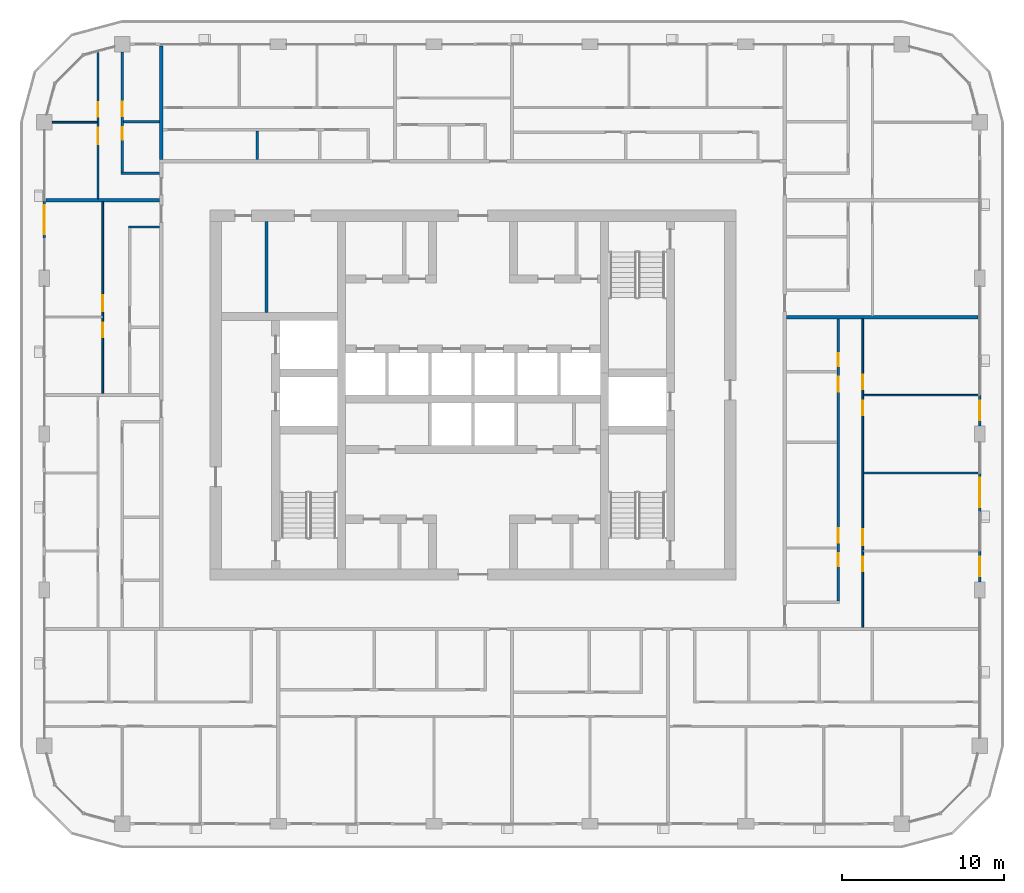
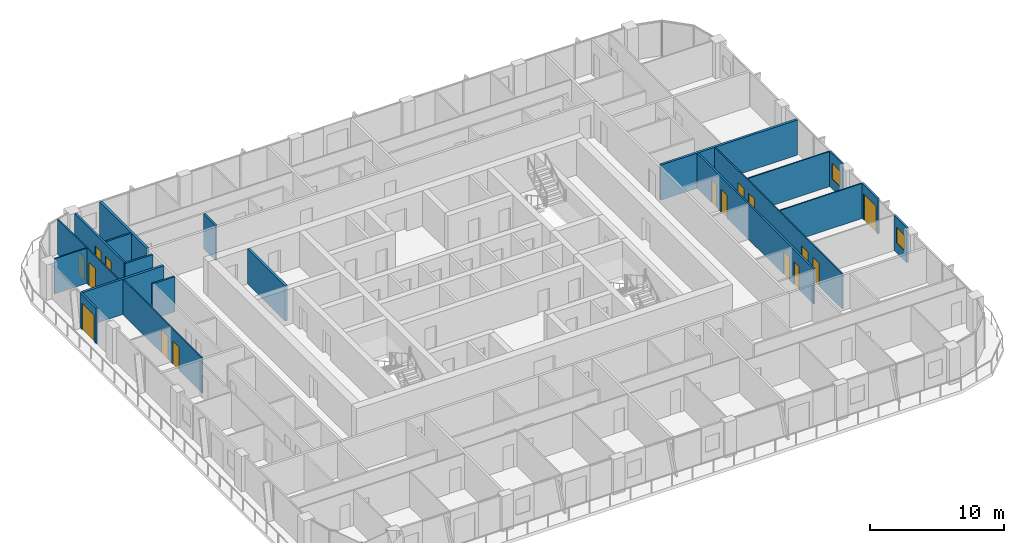
# One storey, part 13 of 22: 20 walls, 16 doors, 2 windows, 18 openings.
"""IFC4 building model written with IfcOpenShell, lengths in metres."""

from ifc_helpers import new_model, si_unit, direction, frame, frame_2d, origin, place, context, subcontext, project, spatial, rectangle, extrude, material, layer, layer_set, type_object, element, fill, save


model = new_model("IFC4")

# Units and contexts
model_context = context("Model", 3, precision=1e-05, world=origin(), true_north=direction((0.0, 1.0)))
body_context = subcontext(model_context, "Body", "Model", "MODEL_VIEW")
ifc_project = project(units=[si_unit("LENGTHUNIT", "METRE"), si_unit("AREAUNIT", "SQUARE_METRE"), si_unit("VOLUMEUNIT", "CUBIC_METRE"), si_unit("PLANEANGLEUNIT", "RADIAN"), si_unit("MASSUNIT", "GRAM", prefix="KILO")], contexts=[model_context])

# Site, building, storey
site_placement = place(None, origin())
site = spatial("IfcSite", under=ifc_project, at=site_placement, CompositionType="ELEMENT")
building_placement = place(site_placement, origin())
building = spatial("IfcBuilding", under=site, at=building_placement, Name="Madar Terraces", CompositionType="ELEMENT")
storey_placement = place(building_placement, frame((0.0, 0.0, 182.39990234375)))
storey = spatial("IfcBuildingStorey", under=building, at=storey_placement, Name="L47", CompositionType="ELEMENT", Elevation=182.39990234375)

# Wall
ifc_material_1 = material(Name="Masonry blockwork", Category="masonry")
ifc_layer_1 = layer(ifc_material_1, 0.199951171875)
ifc_layer_set_1 = layer_set([ifc_layer_1], Name="Core partition 200 blockwork")
wall_type_1 = type_object("IfcWallType", Name="Core partition 200 blockwork", PredefinedType="PARTITIONING", material=ifc_layer_set_1)
wall_1_placement = place(storey_placement, frame((18.488525390625, 31.5, 0.0), z_axis=(0.0, 0.0, 1.0), x_axis=(0.0, 1.0, 0.0)))
element("IfcWall", 1, at=wall_1_placement, inside=storey, type_object=wall_type_1, Name="SERVICE ROOM PARTITION", PredefinedType="PARTITIONING", context=body_context, shape_type="SweptSolid", body=[
    extrude(rectangle(XDim=5.60009765625, YDim=0.199951171875, at=frame_2d((2.800048828125, 0.0))), origin(), (0.0, 0.0, 1.0), 3.2001953125),
])

# Wall, opening, window
ifc_material_2 = material(Name="Aluminium composite panel, black, over insulated backing", Category="aluminium")
ifc_layer_2 = layer(ifc_material_2, 0.14990234375)
ifc_layer_set_2 = layer_set([ifc_layer_2], Name="Facade bay panel 150")
wall_type_2 = type_object("IfcWallType", Name="Facade bay panel 150", PredefinedType="SOLIDWALL", material=ifc_layer_set_2)
wall_2_placement = place(storey_placement, frame((62.39990234375, 14.89990234375, 0.0), z_axis=(0.0, 0.0, 1.0), x_axis=(0.0, 1.0, 0.0)))
wall_2 = element("IfcWall", 2, at=wall_2_placement, inside=storey, type_object=wall_type_2, Name="Facade bay panel", PredefinedType="SOLIDWALL", context=body_context, shape_type="SweptSolid", body=[
    extrude(rectangle(XDim=1.900146484375, YDim=0.14990234375, at=frame_2d((0.9501953125, 0.0))), origin(), (0.0, 0.0, 1.0), 3.2001953125),
])
opening_1_placement = place(wall_2_placement, frame((0.35009765625, 0.0, 0.89990234375)))
opening_1 = element("IfcOpeningElement", 3, at=opening_1_placement, cuts=wall_2, Name="Opening W1", PredefinedType="OPENING", context=body_context, shape_type="SweptSolid", body=[
    extrude(rectangle(XDim=1.199951171875, YDim=1.39990234375, at=frame_2d((0.60009765625, 0.699951171875))), frame((0.0, 0.0849609375, 0.0), z_axis=(0.0, -1.0, 0.0), x_axis=(1.0, 0.0, 0.0)), (0.0, 0.0, 1.0), 0.169921875),
])
ifc_material_3 = material(Name="Glass, clear, with black aluminium frame", Category="aluminium")
window_type = type_object("IfcWindowType", Name="Vent window 1200 x 1400", PartitioningType="SINGLE_PANEL", PredefinedType="WINDOW", material=ifc_material_3)
window_1_placement = place(opening_1_placement, origin())
window_1 = element("IfcWindow", 4, at=window_1_placement, inside=storey, type_object=window_type, Name="Operable vent window", OverallHeight=1.39990234375, OverallWidth=1.199951171875, PartitioningType="SINGLE_PANEL", PredefinedType="WINDOW", context=body_context, shape_type="SweptSolid", body=[
    extrude(rectangle(XDim=1.199951171875, YDim=1.39990234375, at=frame_2d((0.60009765625, 0.699951171875))), frame((0.0, 0.030029296875, 0.0), z_axis=(0.0, -1.0, 0.0), x_axis=(1.0, 0.0, 0.0)), (0.0, 0.0, 1.0), 0.06005859375),
])
fill(opening_1, window_1)

# Wall, opening, door
wall_3_placement = place(storey_placement, frame((62.39990234375, 19.199951171875, 0.0), z_axis=(0.0, 0.0, 1.0), x_axis=(0.0, 1.0, 0.0)))
wall_3 = element("IfcWall", 5, at=wall_3_placement, inside=storey, type_object=wall_type_2, Name="Facade bay panel", PredefinedType="SOLIDWALL", context=body_context, shape_type="SweptSolid", body=[
    extrude(rectangle(XDim=2.400146484375, YDim=0.14990234375, at=frame_2d((1.2001953125, 0.0))), origin(), (0.0, 0.0, 1.0), 3.2001953125),
])
opening_2_placement = place(wall_3_placement, frame((0.300048828125, 0.0, 0.0)))
opening_2 = element("IfcOpeningElement", 6, at=opening_2_placement, cuts=wall_3, Name="Opening ED1", PredefinedType="OPENING", context=body_context, shape_type="SweptSolid", body=[
    extrude(rectangle(XDim=1.800048828125, YDim=2.39990234375, at=frame_2d((0.89990234375, 1.199951171875))), frame((0.0, 0.0849609375, 0.0), z_axis=(0.0, -1.0, 0.0), x_axis=(1.0, 0.0, 0.0)), (0.0, 0.0, 1.0), 0.169921875),
])
ifc_material_4 = material(Name="Glass, clear, with black aluminium frame", Category="aluminium")
door_type_1 = type_object("IfcDoorType", Name="Balcony and terrace sliding door 1800 x 2400", OperationType="SLIDING_TO_LEFT", PredefinedType="DOOR", material=ifc_material_4)
door_1_placement = place(opening_2_placement, origin())
door_1 = element("IfcDoor", 7, at=door_1_placement, inside=storey, type_object=door_type_1, Name="Balcony door", OperationType="SLIDING_TO_RIGHT", OverallHeight=2.39990234375, OverallWidth=1.800048828125, PredefinedType="DOOR", context=body_context, shape_type="SweptSolid", body=[
    extrude(rectangle(XDim=1.800048828125, YDim=2.39990234375, at=frame_2d((0.89990234375, 1.199951171875))), frame((0.0, 0.02490234375, 0.0), z_axis=(0.0, -1.0, 0.0), x_axis=(1.0, 0.0, 0.0)), (0.0, 0.0, 1.0), 0.050048828125),
])
fill(opening_2, door_1)

# Wall, opening, window
wall_4_placement = place(storey_placement, frame((62.39990234375, 24.5, 0.0), z_axis=(0.0, 0.0, 1.0), x_axis=(0.0, 1.0, 0.0)))
wall_4 = element("IfcWall", 8, at=wall_4_placement, inside=storey, type_object=wall_type_2, Name="Facade bay panel", PredefinedType="SOLIDWALL", context=body_context, shape_type="SweptSolid", body=[
    extrude(rectangle(XDim=1.89990234375, YDim=0.14990234375, at=frame_2d((0.949951171875, 0.0))), origin(), (0.0, 0.0, 1.0), 3.2001953125),
])
opening_3_placement = place(wall_4_placement, frame((0.35009765625, 0.0, 0.89990234375)))
opening_3 = element("IfcOpeningElement", 9, at=opening_3_placement, cuts=wall_4, Name="Opening W1", PredefinedType="OPENING", context=body_context, shape_type="SweptSolid", body=[
    extrude(rectangle(XDim=1.199951171875, YDim=1.39990234375, at=frame_2d((0.60009765625, 0.699951171875))), frame((0.0, 0.0849609375, 0.0), z_axis=(0.0, -1.0, 0.0), x_axis=(1.0, 0.0, 0.0)), (0.0, 0.0, 1.0), 0.169921875),
])
window_2_placement = place(opening_3_placement, origin())
window_2 = element("IfcWindow", 10, at=window_2_placement, inside=storey, type_object=window_type, Name="Operable vent window", OverallHeight=1.39990234375, OverallWidth=1.199951171875, PartitioningType="SINGLE_PANEL", PredefinedType="WINDOW", context=body_context, shape_type="SweptSolid", body=[
    extrude(rectangle(XDim=1.199951171875, YDim=1.39990234375, at=frame_2d((0.60009765625, 0.699951171875))), frame((0.0, 0.030029296875, 0.0), z_axis=(0.0, -1.0, 0.0), x_axis=(1.0, 0.0, 0.0)), (0.0, 0.0, 1.0), 0.06005859375),
])
fill(opening_3, window_2)

# Wall, opening, door
wall_5_placement = place(storey_placement, frame((4.800048828125, 38.39990234375, 0.0), z_axis=(0.0, 0.0, 1.0), x_axis=(0.0, -1.0, 0.0)))
wall_5 = element("IfcWall", 11, at=wall_5_placement, inside=storey, type_object=wall_type_2, Name="Facade bay panel", PredefinedType="SOLIDWALL", context=body_context, shape_type="SweptSolid", body=[
    extrude(rectangle(XDim=2.39990234375, YDim=0.14990234375, at=frame_2d((1.199951171875, 0.0))), origin(), (0.0, 0.0, 1.0), 3.2001953125),
])
opening_4_placement = place(wall_5_placement, frame((0.300048828125, 0.0, 0.0)))
opening_4 = element("IfcOpeningElement", 12, at=opening_4_placement, cuts=wall_5, Name="Opening ED1", PredefinedType="OPENING", context=body_context, shape_type="SweptSolid", body=[
    extrude(rectangle(XDim=1.800048828125, YDim=2.39990234375, at=frame_2d((0.89990234375, 1.199951171875))), frame((0.0, 0.0849609375, 0.0), z_axis=(0.0, -1.0, 0.0), x_axis=(1.0, 0.0, 0.0)), (0.0, 0.0, 1.0), 0.169921875),
])
door_2_placement = place(opening_4_placement, origin())
door_2 = element("IfcDoor", 13, at=door_2_placement, inside=storey, type_object=door_type_1, Name="Balcony door", OperationType="SLIDING_TO_RIGHT", OverallHeight=2.39990234375, OverallWidth=1.800048828125, PredefinedType="DOOR", context=body_context, shape_type="SweptSolid", body=[
    extrude(rectangle(XDim=1.800048828125, YDim=2.39990234375, at=frame_2d((0.89990234375, 1.199951171875))), frame((0.0, 0.02490234375, 0.0), z_axis=(0.0, -1.0, 0.0), x_axis=(1.0, 0.0, 0.0)), (0.0, 0.0, 1.0), 0.050048828125),
])
fill(opening_4, door_2)

# Walls
ifc_material_5 = material(Name="Gypsum board on steel studs", Category="steel")
ifc_layer_3 = layer(ifc_material_5, 0.10009765625)
ifc_layer_set_3 = layer_set([ifc_layer_3], Name="Flat partition 100")
wall_type_3 = type_object("IfcWallType", Name="Flat partition 100", PredefinedType="PARTITIONING", material=ifc_layer_set_3)
for number, where, z_axis, x_axis, name in (
    (14, (55.25, 21.60009765625, 0.0), (0.0, 0.0, 1.0), (1.0, 0.0, 0.0), "Flat partition 100"),
    (15, (55.25, 26.39990234375, 0.0), (0.0, 0.0, 1.0), (1.0, 0.0, 0.0), "Flat partition 100"),
):
    element("IfcWall", number, at=place(storey_placement, frame(where, z_axis=z_axis, x_axis=x_axis)), inside=storey, type_object=wall_type_3, Name=name, PredefinedType="PARTITIONING", context=body_context, shape_type="SweptSolid", body=[
        extrude(rectangle(XDim=7.050048828125, YDim=0.10009765625, at=frame_2d((3.52490234375, 0.0))), origin(), (0.0, 0.0, 1.0), 3.2001953125),
    ])

# Wall, openings, doors
wall_6_placement = place(storey_placement, frame((55.199951171875, 31.10009765625, 0.0), z_axis=(0.0, 0.0, 1.0), x_axis=(0.0, -1.0, 0.0)))
wall_6 = element("IfcWall", 16, at=wall_6_placement, inside=storey, type_object=wall_type_3, Name="Flat partition 100", PredefinedType="PARTITIONING", context=body_context, shape_type="SweptSolid", body=[
    extrude(rectangle(XDim=19.0, YDim=0.10009765625, at=frame_2d((9.5, 0.0))), origin(), (0.0, 0.0, 1.0), 3.2001953125),
])
opening_5_placement = place(wall_6_placement, frame((14.64990234375, 0.0, 0.0)))
opening_5 = element("IfcOpeningElement", 17, at=opening_5_placement, cuts=wall_6, Name="Opening D2", PredefinedType="OPENING", context=body_context, shape_type="SweptSolid", body=[
    extrude(rectangle(XDim=0.89990234375, YDim=2.10009765625, at=frame_2d((0.449951171875, 1.050048828125))), frame((0.0, 0.06005859375, 0.0), z_axis=(0.0, -1.0, 0.0), x_axis=(1.0, 0.0, 0.0)), (0.0, 0.0, 1.0), 0.1201171875),
])
opening_6_placement = place(wall_6_placement, frame((12.949951171875, 0.0, 0.0)))
opening_6 = element("IfcOpeningElement", 18, at=opening_6_placement, cuts=wall_6, Name="Opening D3", PredefinedType="OPENING", context=body_context, shape_type="SweptSolid", body=[
    extrude(rectangle(XDim=1.0, YDim=2.10009765625, at=frame_2d((0.5, 1.050048828125))), frame((0.0, 0.06005859375, 0.0), z_axis=(0.0, -1.0, 0.0), x_axis=(1.0, 0.0, 0.0)), (0.0, 0.0, 1.0), 0.1201171875),
])
opening_7_placement = place(wall_6_placement, frame((5.050048828125, 0.0, 0.0)))
opening_7 = element("IfcOpeningElement", 19, at=opening_7_placement, cuts=wall_6, Name="Opening D2", PredefinedType="OPENING", context=body_context, shape_type="SweptSolid", body=[
    extrude(rectangle(XDim=0.89990234375, YDim=2.10009765625, at=frame_2d((0.449951171875, 1.050048828125))), frame((0.0, 0.06005859375, 0.0), z_axis=(0.0, -1.0, 0.0), x_axis=(1.0, 0.0, 0.0)), (0.0, 0.0, 1.0), 0.1201171875),
])
opening_8_placement = place(wall_6_placement, frame((3.449951171875, 0.0, 0.0)))
opening_8 = element("IfcOpeningElement", 20, at=opening_8_placement, cuts=wall_6, Name="Opening D2", PredefinedType="OPENING", context=body_context, shape_type="SweptSolid", body=[
    extrude(rectangle(XDim=0.89990234375, YDim=2.10009765625, at=frame_2d((0.449951171875, 1.050048828125))), frame((0.0, 0.06005859375, 0.0), z_axis=(0.0, -1.0, 0.0), x_axis=(1.0, 0.0, 0.0)), (0.0, 0.0, 1.0), 0.1201171875),
])
ifc_material_6 = material(Name="Timber door leaf", Category="wood")
door_type_2 = type_object("IfcDoorType", Name="Flat living room door 1000", OperationType="NOTDEFINED", PredefinedType="DOOR", material=ifc_material_6)
door_3_placement = place(opening_6_placement, origin())
door_3 = element("IfcDoor", 21, at=door_3_placement, inside=storey, type_object=door_type_2, Name="Flat living room door 1000", OperationType="SINGLE_SWING_RIGHT", OverallHeight=2.10009765625, OverallWidth=1.0, PredefinedType="DOOR", context=body_context, shape_type="SweptSolid", body=[
    extrude(rectangle(XDim=1.0, YDim=2.10009765625, at=frame_2d((0.5, 1.050048828125))), frame((0.0, 0.02490234375, 0.0), z_axis=(0.0, -1.0, 0.0), x_axis=(1.0, 0.0, 0.0)), (0.0, 0.0, 1.0), 0.050048828125),
])
fill(opening_6, door_3)
ifc_material_7 = material(Name="Timber door leaf", Category="wood")
door_type_3 = type_object("IfcDoorType", Name="Flat room door 900", OperationType="NOTDEFINED", PredefinedType="DOOR", material=ifc_material_7)
door_4_placement = place(opening_5_placement, origin())
door_4 = element("IfcDoor", 22, at=door_4_placement, inside=storey, type_object=door_type_3, Name="Flat room door 900", OperationType="SINGLE_SWING_LEFT", OverallHeight=2.10009765625, OverallWidth=0.89990234375, PredefinedType="DOOR", context=body_context, shape_type="SweptSolid", body=[
    extrude(rectangle(XDim=0.89990234375, YDim=2.10009765625, at=frame_2d((0.449951171875, 1.050048828125))), frame((0.0, 0.02490234375, 0.0), z_axis=(0.0, -1.0, 0.0), x_axis=(1.0, 0.0, 0.0)), (0.0, 0.0, 1.0), 0.050048828125),
])
fill(opening_5, door_4)
door_5_placement = place(opening_7_placement, origin())
door_5 = element("IfcDoor", 23, at=door_5_placement, inside=storey, type_object=door_type_3, Name="Flat room door 900", OperationType="SINGLE_SWING_LEFT", OverallHeight=2.10009765625, OverallWidth=0.89990234375, PredefinedType="DOOR", context=body_context, shape_type="SweptSolid", body=[
    extrude(rectangle(XDim=0.89990234375, YDim=2.10009765625, at=frame_2d((0.449951171875, 1.050048828125))), frame((0.0, 0.02490234375, 0.0), z_axis=(0.0, -1.0, 0.0), x_axis=(1.0, 0.0, 0.0)), (0.0, 0.0, 1.0), 0.050048828125),
])
fill(opening_7, door_5)
door_6_placement = place(opening_8_placement, origin())
door_6 = element("IfcDoor", 24, at=door_6_placement, inside=storey, type_object=door_type_3, Name="Flat room door 900", OperationType="SINGLE_SWING_RIGHT", OverallHeight=2.10009765625, OverallWidth=0.89990234375, PredefinedType="DOOR", context=body_context, shape_type="SweptSolid", body=[
    extrude(rectangle(XDim=0.89990234375, YDim=2.10009765625, at=frame_2d((0.449951171875, 1.050048828125))), frame((0.0, 0.02490234375, 0.0), z_axis=(0.0, -1.0, 0.0), x_axis=(1.0, 0.0, 0.0)), (0.0, 0.0, 1.0), 0.050048828125),
])
fill(opening_8, door_6)

# Wall
wall_7_placement = place(storey_placement, frame((8.050048828125, 43.199951171875, 0.0), z_axis=(0.0, 0.0, 1.0), x_axis=(-1.0, 0.0, 0.0)))
element("IfcWall", 25, at=wall_7_placement, inside=storey, type_object=wall_type_3, Name="Flat partition 100", PredefinedType="PARTITIONING", context=body_context, shape_type="SweptSolid", body=[
    extrude(rectangle(XDim=2.775146484375, YDim=0.10009765625, at=frame_2d((1.3876953125, 0.0))), origin(), (0.0, 0.0, 1.0), 3.2001953125),
])

# Wall, openings, doors
wall_8_placement = place(storey_placement, frame((8.10009765625, 38.5, 0.0), z_axis=(0.0, 0.0, 1.0), x_axis=(0.0, 1.0, 0.0)))
wall_8 = element("IfcWall", 26, at=wall_8_placement, inside=storey, type_object=wall_type_3, Name="Flat partition 100", PredefinedType="PARTITIONING", context=body_context, shape_type="SweptSolid", body=[
    extrude(rectangle(XDim=8.998046875, YDim=0.10009765625, at=frame_2d((4.4990234375, 0.0))), origin(), (0.0, 0.0, 1.0), 3.2001953125),
])
opening_9_placement = place(wall_8_placement, frame((3.35009765625, 0.0, 0.0)))
opening_9 = element("IfcOpeningElement", 27, at=opening_9_placement, cuts=wall_8, Name="Opening D3", PredefinedType="OPENING", context=body_context, shape_type="SweptSolid", body=[
    extrude(rectangle(XDim=1.0, YDim=2.10009765625, at=frame_2d((0.5, 1.050048828125))), frame((0.0, 0.06005859375, 0.0), z_axis=(0.0, -1.0, 0.0), x_axis=(1.0, 0.0, 0.0)), (0.0, 0.0, 1.0), 0.1201171875),
])
opening_10_placement = place(wall_8_placement, frame((5.050048828125, 0.0, 0.0)))
opening_10 = element("IfcOpeningElement", 28, at=opening_10_placement, cuts=wall_8, Name="Opening D2", PredefinedType="OPENING", context=body_context, shape_type="SweptSolid", body=[
    extrude(rectangle(XDim=0.89990234375, YDim=2.10009765625, at=frame_2d((0.449951171875, 1.050048828125))), frame((0.0, 0.06005859375, 0.0), z_axis=(0.0, -1.0, 0.0), x_axis=(1.0, 0.0, 0.0)), (0.0, 0.0, 1.0), 0.1201171875),
])
door_7_placement = place(opening_9_placement, origin())
door_7 = element("IfcDoor", 29, at=door_7_placement, inside=storey, type_object=door_type_2, Name="Flat living room door 1000", OperationType="SINGLE_SWING_RIGHT", OverallHeight=2.10009765625, OverallWidth=1.0, PredefinedType="DOOR", context=body_context, shape_type="SweptSolid", body=[
    extrude(rectangle(XDim=1.0, YDim=2.10009765625, at=frame_2d((0.5, 1.050048828125))), frame((0.0, 0.02490234375, 0.0), z_axis=(0.0, -1.0, 0.0), x_axis=(1.0, 0.0, 0.0)), (0.0, 0.0, 1.0), 0.050048828125),
])
fill(opening_9, door_7)
door_8_placement = place(opening_10_placement, origin())
door_8 = element("IfcDoor", 30, at=door_8_placement, inside=storey, type_object=door_type_3, Name="Flat room door 900", OperationType="SINGLE_SWING_LEFT", OverallHeight=2.10009765625, OverallWidth=0.89990234375, PredefinedType="DOOR", context=body_context, shape_type="SweptSolid", body=[
    extrude(rectangle(XDim=0.89990234375, YDim=2.10009765625, at=frame_2d((0.449951171875, 1.050048828125))), frame((0.0, 0.02490234375, 0.0), z_axis=(0.0, -1.0, 0.0), x_axis=(1.0, 0.0, 0.0)), (0.0, 0.0, 1.0), 0.050048828125),
])
fill(opening_10, door_8)

wall_9_placement = place(storey_placement, frame((8.39990234375, 26.5, 0.0), z_axis=(0.0, 0.0, 1.0), x_axis=(0.0, 1.0, 0.0)))
wall_9 = element("IfcWall", 31, at=wall_9_placement, inside=storey, type_object=wall_type_3, Name="Flat partition 100", PredefinedType="PARTITIONING", context=body_context, shape_type="SweptSolid", body=[
    extrude(rectangle(XDim=11.800048828125, YDim=0.10009765625, at=frame_2d((5.89990234375, 0.0))), origin(), (0.0, 0.0, 1.0), 3.2001953125),
])
opening_11_placement = place(wall_9_placement, frame((5.050048828125, 0.0, 0.0)))
opening_11 = element("IfcOpeningElement", 32, at=opening_11_placement, cuts=wall_9, Name="Opening D3", PredefinedType="OPENING", context=body_context, shape_type="SweptSolid", body=[
    extrude(rectangle(XDim=1.0, YDim=2.10009765625, at=frame_2d((0.5, 1.050048828125))), frame((0.0, 0.06005859375, 0.0), z_axis=(0.0, -1.0, 0.0), x_axis=(1.0, 0.0, 0.0)), (0.0, 0.0, 1.0), 0.1201171875),
])
opening_12_placement = place(wall_9_placement, frame((3.449951171875, 0.0, 0.0)))
opening_12 = element("IfcOpeningElement", 33, at=opening_12_placement, cuts=wall_9, Name="Opening D2", PredefinedType="OPENING", context=body_context, shape_type="SweptSolid", body=[
    extrude(rectangle(XDim=0.89990234375, YDim=2.10009765625, at=frame_2d((0.449951171875, 1.050048828125))), frame((0.0, 0.06005859375, 0.0), z_axis=(0.0, -1.0, 0.0), x_axis=(1.0, 0.0, 0.0)), (0.0, 0.0, 1.0), 0.1201171875),
])
door_9_placement = place(opening_11_placement, origin())
door_9 = element("IfcDoor", 34, at=door_9_placement, inside=storey, type_object=door_type_2, Name="Flat living room door 1000", OperationType="SINGLE_SWING_LEFT", OverallHeight=2.10009765625, OverallWidth=1.0, PredefinedType="DOOR", context=body_context, shape_type="SweptSolid", body=[
    extrude(rectangle(XDim=1.0, YDim=2.10009765625, at=frame_2d((0.5, 1.050048828125))), frame((0.0, 0.02490234375, 0.0), z_axis=(0.0, -1.0, 0.0), x_axis=(1.0, 0.0, 0.0)), (0.0, 0.0, 1.0), 0.050048828125),
])
fill(opening_11, door_9)
door_10_placement = place(opening_12_placement, origin())
door_10 = element("IfcDoor", 35, at=door_10_placement, inside=storey, type_object=door_type_3, Name="Flat room door 900", OperationType="SINGLE_SWING_RIGHT", OverallHeight=2.10009765625, OverallWidth=0.89990234375, PredefinedType="DOOR", context=body_context, shape_type="SweptSolid", body=[
    extrude(rectangle(XDim=0.89990234375, YDim=2.10009765625, at=frame_2d((0.449951171875, 1.050048828125))), frame((0.0, 0.02490234375, 0.0), z_axis=(0.0, -1.0, 0.0), x_axis=(1.0, 0.0, 0.0)), (0.0, 0.0, 1.0), 0.050048828125),
])
fill(opening_12, door_10)

# Walls
ifc_material_8 = material(Name="Lightweight blockwork", Category="masonry")
ifc_layer_4 = layer(ifc_material_8, 0.199951171875)
ifc_layer_set_4 = layer_set([ifc_layer_4], Name="Flat party and entrance wall 200")
wall_type_4 = type_object("IfcWallType", Name="Flat party and entrance wall 200", PredefinedType="PARTITIONING", material=ifc_layer_set_4)
wall_10_placement = place(storey_placement, frame((50.5, 31.199951171875, 0.0), z_axis=(0.0, 0.0, 1.0), x_axis=(1.0, 0.0, 0.0)))
element("IfcWall", 36, at=wall_10_placement, inside=storey, type_object=wall_type_4, Name="Flat party and entrance wall 200", PredefinedType="PARTITIONING", context=body_context, shape_type="SweptSolid", body=[
    extrude(rectangle(XDim=11.800048828125, YDim=0.199951171875, at=frame_2d((5.89990234375, 0.0))), origin(), (0.0, 0.0, 1.0), 3.2001953125),
])
for number, where, z_axis, x_axis, name in (
    (37, (12.0, 47.89990234375, 0.0), (0.0, 0.0, 1.0), (0.0, -1.0, 0.0), "Flat party and entrance wall 200"),
    (38, (4.89990234375, 38.39990234375, 0.0), (0.0, 0.0, 1.0), (1.0, 0.0, 0.0), "Flat party and entrance wall 200"),
):
    element("IfcWall", number, at=place(storey_placement, frame(where, z_axis=z_axis, x_axis=x_axis)), inside=storey, type_object=wall_type_4, Name=name, PredefinedType="PARTITIONING", context=body_context, shape_type="SweptSolid", body=[
        extrude(rectangle(XDim=7.0, YDim=0.199951171875, at=frame_2d((3.5, 0.0))), origin(), (0.0, 0.0, 1.0), 3.2001953125),
    ])

# Wall, openings, doors
ifc_material_9 = material(Name="Lightweight blockwork", Category="masonry")
ifc_layer_5 = layer(ifc_material_9, 0.14990234375)
ifc_layer_set_5 = layer_set([ifc_layer_5], Name="Flat wet-room partition 150")
wall_type_5 = type_object("IfcWallType", Name="Flat wet-room partition 150", PredefinedType="PARTITIONING", material=ifc_layer_set_5)
wall_11_placement = place(storey_placement, frame((53.699951171875, 13.72509765625, 0.0), z_axis=(0.0, 0.0, 1.0), x_axis=(0.0, 1.0, 0.0)))
wall_11 = element("IfcWall", 39, at=wall_11_placement, inside=storey, type_object=wall_type_5, Name="Flat wet-room partition 150", PredefinedType="PARTITIONING", context=body_context, shape_type="SweptSolid", body=[
    extrude(rectangle(XDim=17.375, YDim=0.14990234375, at=frame_2d((8.6875, 0.0))), origin(), (0.0, 0.0, 1.0), 3.2001953125),
])
opening_13_placement = place(wall_11_placement, frame((2.1328125, 0.0, 0.0)))
opening_13 = element("IfcOpeningElement", 40, at=opening_13_placement, cuts=wall_11, Name="Opening D7", PredefinedType="OPENING", context=body_context, shape_type="SweptSolid", body=[
    extrude(rectangle(XDim=0.800048828125, YDim=2.10009765625, at=frame_2d((0.39990234375, 1.050048828125))), frame((0.0, 0.0849609375, 0.0), z_axis=(0.0, -1.0, 0.0), x_axis=(1.0, 0.0, 0.0)), (0.0, 0.0, 1.0), 0.169921875),
])
opening_14_placement = place(wall_11_placement, frame((3.582763671875, 0.0, 0.0)))
opening_14 = element("IfcOpeningElement", 41, at=opening_14_placement, cuts=wall_11, Name="Opening D2", PredefinedType="OPENING", context=body_context, shape_type="SweptSolid", body=[
    extrude(rectangle(XDim=0.89990234375, YDim=2.10009765625, at=frame_2d((0.449951171875, 1.050048828125))), frame((0.0, 0.0849609375, 0.0), z_axis=(0.0, -1.0, 0.0), x_axis=(1.0, 0.0, 0.0)), (0.0, 0.0, 1.0), 0.169921875),
])
opening_15_placement = place(wall_11_placement, frame((12.89208984375, 0.0, 0.0)))
opening_15 = element("IfcOpeningElement", 42, at=opening_15_placement, cuts=wall_11, Name="Opening D5", PredefinedType="OPENING", context=body_context, shape_type="SweptSolid", body=[
    extrude(rectangle(XDim=0.89990234375, YDim=2.10009765625, at=frame_2d((0.449951171875, 1.050048828125))), frame((0.0, 0.0849609375, 0.0), z_axis=(0.0, -1.0, 0.0), x_axis=(1.0, 0.0, 0.0)), (0.0, 0.0, 1.0), 0.169921875),
])
opening_16_placement = place(wall_11_placement, frame((14.442138671875, 0.0, 0.0)))
opening_16 = element("IfcOpeningElement", 43, at=opening_16_placement, cuts=wall_11, Name="Opening D4", PredefinedType="OPENING", context=body_context, shape_type="SweptSolid", body=[
    extrude(rectangle(XDim=0.800048828125, YDim=2.10009765625, at=frame_2d((0.39990234375, 1.050048828125))), frame((0.0, 0.0849609375, 0.0), z_axis=(0.0, -1.0, 0.0), x_axis=(1.0, 0.0, 0.0)), (0.0, 0.0, 1.0), 0.169921875),
])
ifc_material_10 = material(Name="Timber door leaf", Category="wood")
door_type_4 = type_object("IfcDoorType", Name="Flat accessible bathroom door 900", OperationType="NOTDEFINED", PredefinedType="DOOR", material=ifc_material_10)
door_11_placement = place(opening_15_placement, origin())
door_11 = element("IfcDoor", 44, at=door_11_placement, inside=storey, type_object=door_type_4, Name="Flat accessible bathroom door 900", OperationType="SINGLE_SWING_RIGHT", OverallHeight=2.10009765625, OverallWidth=0.89990234375, PredefinedType="DOOR", context=body_context, shape_type="SweptSolid", body=[
    extrude(rectangle(XDim=0.89990234375, YDim=2.10009765625, at=frame_2d((0.449951171875, 1.050048828125))), frame((0.0, 0.02490234375, 0.0), z_axis=(0.0, -1.0, 0.0), x_axis=(1.0, 0.0, 0.0)), (0.0, 0.0, 1.0), 0.050048828125),
])
fill(opening_15, door_11)
ifc_material_11 = material(Name="Timber door leaf", Category="wood")
door_type_5 = type_object("IfcDoorType", Name="Flat bathroom door 800", OperationType="NOTDEFINED", PredefinedType="DOOR", material=ifc_material_11)
door_12_placement = place(opening_16_placement, origin())
door_12 = element("IfcDoor", 45, at=door_12_placement, inside=storey, type_object=door_type_5, Name="Flat bathroom door 800", OperationType="SINGLE_SWING_LEFT", OverallHeight=2.10009765625, OverallWidth=0.800048828125, PredefinedType="DOOR", context=body_context, shape_type="SweptSolid", body=[
    extrude(rectangle(XDim=0.800048828125, YDim=2.10009765625, at=frame_2d((0.39990234375, 1.050048828125))), frame((0.0, 0.02490234375, 0.0), z_axis=(0.0, -1.0, 0.0), x_axis=(1.0, 0.0, 0.0)), (0.0, 0.0, 1.0), 0.050048828125),
])
fill(opening_16, door_12)
door_13_placement = place(opening_14_placement, origin())
door_13 = element("IfcDoor", 46, at=door_13_placement, inside=storey, type_object=door_type_3, Name="Flat room door 900", OperationType="SINGLE_SWING_LEFT", OverallHeight=2.10009765625, OverallWidth=0.89990234375, PredefinedType="DOOR", context=body_context, shape_type="SweptSolid", body=[
    extrude(rectangle(XDim=0.89990234375, YDim=2.10009765625, at=frame_2d((0.449951171875, 1.050048828125))), frame((0.0, 0.02490234375, 0.0), z_axis=(0.0, -1.0, 0.0), x_axis=(1.0, 0.0, 0.0)), (0.0, 0.0, 1.0), 0.050048828125),
])
fill(opening_14, door_13)
ifc_material_12 = material(Name="Timber door leaf", Category="wood")
door_type_6 = type_object("IfcDoorType", Name="Flat utility door 800", OperationType="NOTDEFINED", PredefinedType="DOOR", material=ifc_material_12)
door_14_placement = place(opening_13_placement, origin())
door_14 = element("IfcDoor", 47, at=door_14_placement, inside=storey, type_object=door_type_6, Name="Flat utility door 800", OperationType="SINGLE_SWING_RIGHT", OverallHeight=2.10009765625, OverallWidth=0.800048828125, PredefinedType="DOOR", context=body_context, shape_type="SweptSolid", body=[
    extrude(rectangle(XDim=0.800048828125, YDim=2.10009765625, at=frame_2d((0.39990234375, 1.050048828125))), frame((0.0, 0.02490234375, 0.0), z_axis=(0.0, -1.0, 0.0), x_axis=(1.0, 0.0, 0.0)), (0.0, 0.0, 1.0), 0.050048828125),
])
fill(opening_13, door_14)

# Walls
wall_12_placement = place(storey_placement, frame((17.90380859375, 40.89990234375, 0.0), z_axis=(0.0, 0.0, 1.0), x_axis=(0.0, 1.0, 0.0)))
element("IfcWall", 48, at=wall_12_placement, inside=storey, type_object=wall_type_5, Name="Flat wet-room partition 150", PredefinedType="PARTITIONING", context=body_context, shape_type="SweptSolid", body=[
    extrude(rectangle(XDim=1.775146484375, YDim=0.14990234375, at=frame_2d((0.8876953125, 0.0))), origin(), (0.0, 0.0, 1.0), 3.2001953125),
])
wall_13_placement = place(storey_placement, frame((11.89990234375, 43.235107421875, 0.0), z_axis=(0.0, 0.0, 1.0), x_axis=(-1.0, 0.0, 0.0)))
element("IfcWall", 49, at=wall_13_placement, inside=storey, type_object=wall_type_5, Name="Flat wet-room partition 150", PredefinedType="PARTITIONING", context=body_context, shape_type="SweptSolid", body=[
    extrude(rectangle(XDim=2.224853515625, YDim=0.14990234375, at=frame_2d((1.1123046875, 0.0))), origin(), (0.0, 0.0, 1.0), 3.2001953125),
])
wall_14_placement = place(storey_placement, frame((11.89990234375, 40.050048828125, 0.0), z_axis=(0.0, 0.0, 1.0), x_axis=(-1.0, 0.0, 0.0)))
element("IfcWall", 50, at=wall_14_placement, inside=storey, type_object=wall_type_5, Name="Flat wet-room partition 150", PredefinedType="PARTITIONING", context=body_context, shape_type="SweptSolid", body=[
    extrude(rectangle(XDim=2.375, YDim=0.14990234375, at=frame_2d((1.1875, 0.0))), origin(), (0.0, 0.0, 1.0), 3.2001953125),
])

# Wall, openings, doors
wall_15_placement = place(storey_placement, frame((9.60009765625, 47.52490234375, 0.0), z_axis=(0.0, 0.0, 1.0), x_axis=(0.0, -1.0, 0.0)))
wall_15 = element("IfcWall", 51, at=wall_15_placement, inside=storey, type_object=wall_type_5, Name="Flat wet-room partition 150", PredefinedType="PARTITIONING", context=body_context, shape_type="SweptSolid", body=[
    extrude(rectangle(XDim=7.39990234375, YDim=0.14990234375, at=frame_2d((3.699951171875, 0.0))), origin(), (0.0, 0.0, 1.0), 3.2001953125),
])
opening_17_placement = place(wall_15_placement, frame((4.614990234375, 0.0, 0.0)))
opening_17 = element("IfcOpeningElement", 52, at=opening_17_placement, cuts=wall_15, Name="Opening D4", PredefinedType="OPENING", context=body_context, shape_type="SweptSolid", body=[
    extrude(rectangle(XDim=0.800048828125, YDim=2.10009765625, at=frame_2d((0.39990234375, 1.050048828125))), frame((0.0, 0.0849609375, 0.0), z_axis=(0.0, -1.0, 0.0), x_axis=(1.0, 0.0, 0.0)), (0.0, 0.0, 1.0), 0.169921875),
])
opening_18_placement = place(wall_15_placement, frame((3.06494140625, 0.0, 0.0)))
opening_18 = element("IfcOpeningElement", 53, at=opening_18_placement, cuts=wall_15, Name="Opening D2", PredefinedType="OPENING", context=body_context, shape_type="SweptSolid", body=[
    extrude(rectangle(XDim=0.89990234375, YDim=2.10009765625, at=frame_2d((0.449951171875, 1.050048828125))), frame((0.0, 0.0849609375, 0.0), z_axis=(0.0, -1.0, 0.0), x_axis=(1.0, 0.0, 0.0)), (0.0, 0.0, 1.0), 0.169921875),
])
door_15_placement = place(opening_17_placement, origin())
door_15 = element("IfcDoor", 54, at=door_15_placement, inside=storey, type_object=door_type_5, Name="Flat bathroom door 800", OperationType="SINGLE_SWING_LEFT", OverallHeight=2.10009765625, OverallWidth=0.800048828125, PredefinedType="DOOR", context=body_context, shape_type="SweptSolid", body=[
    extrude(rectangle(XDim=0.800048828125, YDim=2.10009765625, at=frame_2d((0.39990234375, 1.050048828125))), frame((0.0, 0.02490234375, 0.0), z_axis=(0.0, -1.0, 0.0), x_axis=(1.0, 0.0, 0.0)), (0.0, 0.0, 1.0), 0.050048828125),
])
fill(opening_17, door_15)
door_16_placement = place(opening_18_placement, origin())
door_16 = element("IfcDoor", 55, at=door_16_placement, inside=storey, type_object=door_type_3, Name="Flat room door 900", OperationType="SINGLE_SWING_RIGHT", OverallHeight=2.10009765625, OverallWidth=0.89990234375, PredefinedType="DOOR", context=body_context, shape_type="SweptSolid", body=[
    extrude(rectangle(XDim=0.89990234375, YDim=2.10009765625, at=frame_2d((0.449951171875, 1.050048828125))), frame((0.0, 0.02490234375, 0.0), z_axis=(0.0, -1.0, 0.0), x_axis=(1.0, 0.0, 0.0)), (0.0, 0.0, 1.0), 0.050048828125),
])
fill(opening_18, door_16)

# Wall
wall_16_placement = place(storey_placement, frame((11.89990234375, 36.75, 0.0), z_axis=(0.0, 0.0, 1.0), x_axis=(-1.0, 0.0, 0.0)))
element("IfcWall", 56, at=wall_16_placement, inside=storey, type_object=wall_type_5, Name="Flat wet-room partition 150", PredefinedType="PARTITIONING", context=body_context, shape_type="SweptSolid", body=[
    extrude(rectangle(XDim=1.9248046875, YDim=0.14990234375, at=frame_2d((0.96240234375, 0.0))), origin(), (0.0, 0.0, 1.0), 3.2001953125),
])

save(model, "model.ifc")
